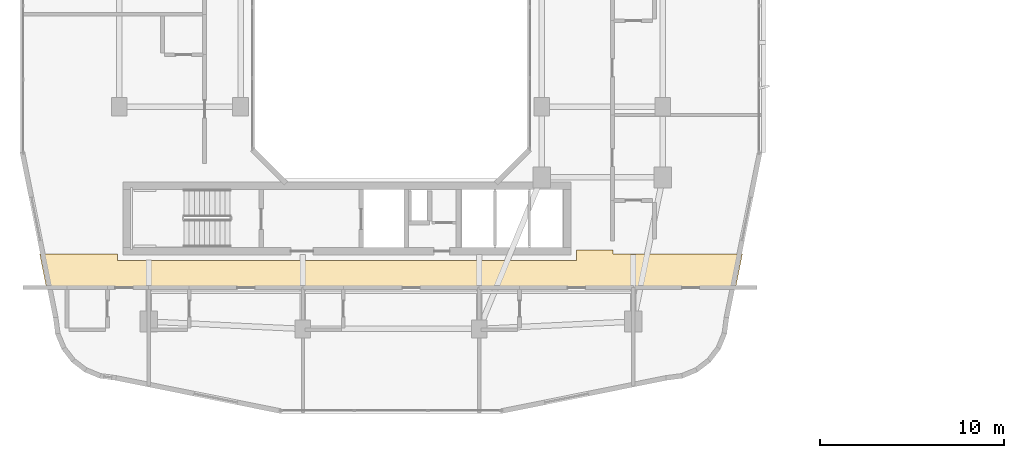
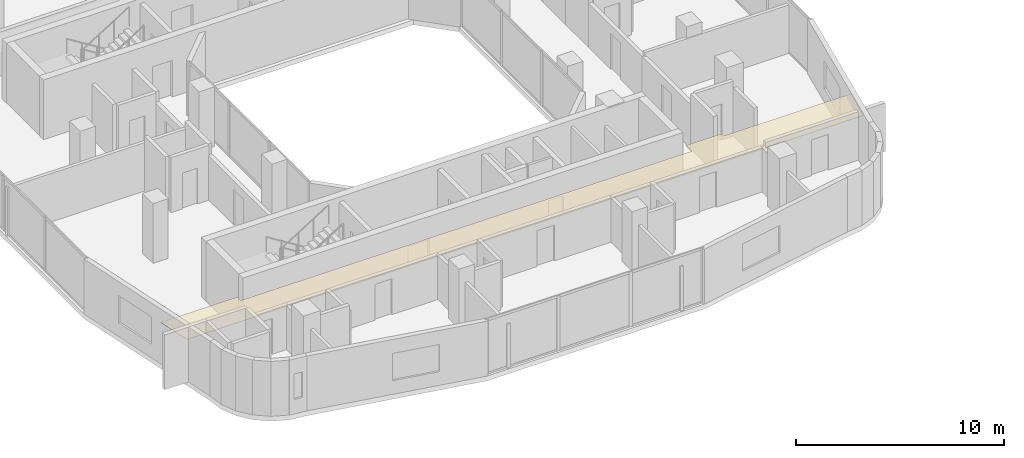
# One storey, part 23 of 26: 1 covering.
"""IFC4 building model written with IfcOpenShell, lengths in metres."""

import ifcopenshell
import ifcopenshell.guid

model = None  # the IFC model being written
_history = None  # IfcOwnerHistory: only IFC2X3 demands one
_inside = {}  # id of a spatial element -> (the spatial element, [elements in it])
_under = {}  # id of a project, library or spatial element -> (it, [spatial elements below it])
_declared = {}  # id of a project -> (the project, [libraries it declares])
_typed = {}  # id of a type object -> (the type object, [elements of that type])
_made_of = {}  # id of a material, layer set ... -> (it, [elements and type objects made of it])


def new_model(schema):
    """Start an empty IFC model of exactly this schema.

    Asked for "IFC4X3", IfcOpenShell would pick the latest addendum, in which some entities
    have other attributes; the version numbers below select the first issue.
    IFC2X3 requires an IfcOwnerHistory on every rooted entity: one is made here for all.
    """
    global model, _history
    if schema == "IFC4X3":
        model = ifcopenshell.file(schema_version=(4, 3, 0, 0))
    else:
        model = ifcopenshell.file(schema=schema)
    _inside.clear()
    _under.clear()
    _declared.clear()
    _typed.clear()
    _made_of.clear()
    _history = None
    if model.schema == "IFC2X3":
        org = make("IfcOrganization", Name="unknown")
        user = make(
            "IfcPersonAndOrganization",
            ThePerson=make("IfcPerson", FamilyName="unknown"),
            TheOrganization=org,
        )
        app = make(
            "IfcApplication",
            ApplicationDeveloper=org,
            Version="unknown",
            ApplicationFullName="unknown",
            ApplicationIdentifier="unknown",
        )
        _history = make(
            "IfcOwnerHistory",
            OwningUser=user,
            OwningApplication=app,
            ChangeAction="ADDED",
            CreationDate=0,
        )
    return model


def make(cls, **values):
    """One entity of the class cls with the attributes given. An attribute that is None is left unset."""
    return model.create_entity(
        cls, **{name: value for name, value in values.items() if value is not None}
    )


def rooted(cls, **values):
    """An entity with a GlobalId (a new one), such as an element, a storey or a relation."""
    return make(cls, GlobalId=ifcopenshell.guid.new(), OwnerHistory=_history, **values)


def si_unit(unit_type, name, prefix=None):
    """IfcSIUnit, for example si_unit("LENGTHUNIT", "METRE", prefix="MILLI")."""
    return make("IfcSIUnit", UnitType=unit_type, Prefix=prefix, Name=name)


def derived_unit(unit_type, elements):
    """IfcDerivedUnit: a product of units, each with its exponent."""
    return make(
        "IfcDerivedUnit",
        Elements=[
            make("IfcDerivedUnitElement", Unit=unit, Exponent=power)
            for unit, power in elements
        ],
        UnitType=unit_type,
    )


def assignment(units):
    """IfcUnitAssignment: the units of a project."""
    return None if units is None else make("IfcUnitAssignment", Units=units)


def point(xyz):
    """IfcCartesianPoint."""
    return None if xyz is None else make("IfcCartesianPoint", Coordinates=xyz)


def direction(xyz):
    """IfcDirection."""
    return None if xyz is None else make("IfcDirection", DirectionRatios=xyz)


def frame(location, z_axis=None, x_axis=None):
    """IfcAxis2Placement3D, a coordinate frame: its origin and axes. An axis left out is left unset."""
    return make(
        "IfcAxis2Placement3D",
        Location=point(location),
        Axis=direction(z_axis),
        RefDirection=direction(x_axis),
    )


def origin():
    """The frame at (0, 0, 0) with its axes left unset."""
    return frame((0.0, 0.0, 0.0))


def place(relative_to, where):
    """IfcLocalPlacement: puts the frame where relative to a parent placement (None: the world)."""
    return make(
        "IfcLocalPlacement", PlacementRelTo=relative_to, RelativePlacement=where
    )


def context(
    kind, dimensions, precision=None, world=None, true_north=None, identifier=None
):
    """IfcGeometricRepresentationContext, for example the 3D "Model" context."""
    return make(
        "IfcGeometricRepresentationContext",
        ContextIdentifier=identifier,
        ContextType=kind,
        CoordinateSpaceDimension=dimensions,
        Precision=precision,
        WorldCoordinateSystem=world,
        TrueNorth=true_north,
    )


def subcontext(parent, identifier, kind, view, scale=None):
    """IfcGeometricRepresentationSubContext, for example "Body" below "Model"."""
    return make(
        "IfcGeometricRepresentationSubContext",
        ContextIdentifier=identifier,
        ContextType=kind,
        ParentContext=parent,
        TargetScale=scale,
        TargetView=view,
    )


def project(units=None, contexts=None):
    """IfcProject with its units and contexts."""
    return rooted(
        "IfcProject",
        Name="project",
        RepresentationContexts=contexts,
        UnitsInContext=assignment(units),
    )


def spatial(cls, under=None, at=None, **own):
    """A site, building, storey or space (cls), placed at a placement, below another one or the project."""
    s = rooted(cls, ObjectPlacement=at, **own)
    if under is not None:
        _under.setdefault(under.id(), (under, []))[1].append(s)
    return s


def polyline(points):
    """IfcPolyline through the points."""
    return make("IfcPolyline", Points=[point(p) for p in points])


def outline(outer, holes=None, kind="AREA"):
    """IfcArbitraryClosedProfileDef: a profile drawn as a closed curve; with holes, ...WithVoids."""
    if holes is None:
        return make("IfcArbitraryClosedProfileDef", ProfileType=kind, OuterCurve=outer)
    return make(
        "IfcArbitraryProfileDefWithVoids",
        ProfileType=kind,
        OuterCurve=outer,
        InnerCurves=holes,
    )


def extrude(swept, where, along, depth):
    """IfcExtrudedAreaSolid: the profile swept, set in the frame where, extruded along a direction by depth."""
    return make(
        "IfcExtrudedAreaSolid",
        SweptArea=swept,
        Position=where,
        ExtrudedDirection=direction(along),
        Depth=depth,
    )


def shape(context_of_items, identifier, shape_type, items):
    """IfcShapeRepresentation: the items that make up one representation, for example the "Body"."""
    return make(
        "IfcShapeRepresentation",
        ContextOfItems=context_of_items,
        RepresentationIdentifier=identifier,
        RepresentationType=shape_type,
        Items=items,
    )


def material(Name=None, Category=None):
    """IfcMaterial."""
    return make("IfcMaterial", Name=Name, Category=Category)


def layer(
    of_material, thickness, ventilated=None, Name=None, Category=None, Priority=None
):
    """IfcMaterialLayer: one layer of a wall or slab, of a material (None: an air gap)."""
    return make(
        "IfcMaterialLayer",
        Material=of_material,
        LayerThickness=thickness,
        IsVentilated=ventilated,
        Name=Name,
        Category=Category,
        Priority=Priority,
    )


def layer_set(layers, Name=None):
    """IfcMaterialLayerSet."""
    return make("IfcMaterialLayerSet", MaterialLayers=layers, LayerSetName=Name)


def made_of(thing, what):
    """Note that an element or type object is made of a material, layer set ...; save() writes the relation."""
    if what is not None:
        _made_of.setdefault(what.id(), (what, []))[1].append(thing)
    return thing


def type_object(cls, material=None, **own):
    """A type object (cls), such as IfcWallType, which elements share."""
    return made_of(rooted(cls, **own), material)


def element(
    cls,
    number,
    at=None,
    inside=None,
    cuts=None,
    type_object=None,
    material=None,
    context=None,
    identifier="Body",
    shape_type=None,
    held_by="IfcProductDefinitionShape",
    body=None,
    shapes=None,
    **own,
):
    """One element of the class cls, such as IfcWall. Its Tag is "e" and its number.

    at: its placement. inside: the storey or other place that contains it. cuts: it is an
    opening in that element (IfcRelVoidsElement). A single representation is given by context,
    identifier, shape_type and body (its items); several are given by shapes. held_by: the class
    of the entity that holds the representations. save() writes the other relations.
    """
    e = rooted(cls, Tag="e%d" % number, ObjectPlacement=at, **own)
    if body is not None:
        shapes = [shape(context, identifier, shape_type, body)]
    if shapes is not None:
        e.Representation = make(held_by, Representations=shapes)
    if inside is not None:
        _inside.setdefault(inside.id(), (inside, []))[1].append(e)
    if cuts is not None:
        rooted(
            "IfcRelVoidsElement", RelatingBuildingElement=cuts, RelatedOpeningElement=e
        )
    if type_object is not None:
        _typed.setdefault(type_object.id(), (type_object, []))[1].append(e)
    return made_of(e, material)


def aggregate(whole, parts):
    """IfcRelAggregates: a whole, such as a stair, and the parts it consists of."""
    return rooted("IfcRelAggregates", RelatingObject=whole, RelatedObjects=parts)


def save(model, path):
    """Write the relations noted so far, then the file.

    IfcRelAggregates (storeys below a building ...), IfcRelContainedInSpatialStructure (elements
    in a storey), IfcRelDefinesByType, IfcRelAssociatesMaterial and IfcRelDeclares: one each for
    every whole, place, type object, material and project.
    """
    for whole, parts in _under.values():
        aggregate(whole, parts)
    for where, things in _inside.values():
        rooted(
            "IfcRelContainedInSpatialStructure",
            RelatedElements=things,
            RelatingStructure=where,
        )
    for kind, things in _typed.values():
        rooted("IfcRelDefinesByType", RelatedObjects=things, RelatingType=kind)
    for what, things in _made_of.values():
        rooted("IfcRelAssociatesMaterial", RelatedObjects=things, RelatingMaterial=what)
    for by, libraries in _declared.values():
        rooted("IfcRelDeclares", RelatingContext=by, RelatedDefinitions=libraries)
    model.write(path)


model = new_model("IFC4")

# Units and contexts
model_context = context("Model", 3, precision=1e-05, world=origin(), true_north=direction((0.0, 1.0)))
body_context = subcontext(model_context, "Body", "Model", "MODEL_VIEW")
ifc_project = project(units=[si_unit("LENGTHUNIT", "METRE"), si_unit("AREAUNIT", "SQUARE_METRE"), si_unit("VOLUMEUNIT", "CUBIC_METRE"), si_unit("PLANEANGLEUNIT", "RADIAN"), si_unit("MASSUNIT", "GRAM", prefix="KILO"), derived_unit("THERMALTRANSMITTANCEUNIT", [(si_unit("POWERUNIT", "WATT"), 1), (si_unit("LENGTHUNIT", "METRE"), -2), (si_unit("THERMODYNAMICTEMPERATUREUNIT", "KELVIN"), -1)])], contexts=[model_context])

# Site, building, storey
site_placement = place(None, origin())
site = spatial("IfcSite", under=ifc_project, at=site_placement, CompositionType="ELEMENT")
building_placement = place(site_placement, origin())
building = spatial("IfcBuilding", under=site, at=building_placement, Name="Kivonza Crest Hotel", CompositionType="ELEMENT")
storey_placement = place(building_placement, frame((0.0, 0.0, 102.0)))
storey = spatial("IfcBuildingStorey", under=building, at=storey_placement, Name="L27", CompositionType="ELEMENT", Elevation=102.0)

# Covering
ifc_material = material(Name="Mineral-fibre acoustic ceiling tile", Category="gypsum")
ifc_layer = layer(ifc_material, 0.02490234375)
ifc_layer_set = layer_set([ifc_layer], Name="Mineral-fibre acoustic ceiling tile")
covering_type = type_object("IfcCoveringType", Name="CV-CEIL-ACOU", PredefinedType="CEILING", material=ifc_layer_set)
covering_placement = place(storey_placement, frame((0.0, 0.0, 2.449951171875)))
element("IfcCovering", 1, at=covering_placement, inside=storey, type_object=covering_type, Name="L27 Hotel South Guest Corridor suspended ceiling", PredefinedType="CEILING", context=body_context, shape_type="SweptSolid", body=[
    extrude(outline(polyline([(33.090087890625, 13.47998046875), (33.090087890625, 13.68994140625), (31.10009765625, 13.68994140625), (31.10009765625, 13.139892578125), (6.10009765625, 13.139892578125), (6.10009765625, 13.47998046875), (1.85791015625, 13.47998046875), (2.235107421875, 11.610107421875), (39.764892578125, 11.610107421875), (40.14208984375, 13.47998046875), (33.090087890625, 13.47998046875)])), origin(), (0.0, 0.0, 1.0), 0.025146484375),
])

save(model, "model.ifc")
